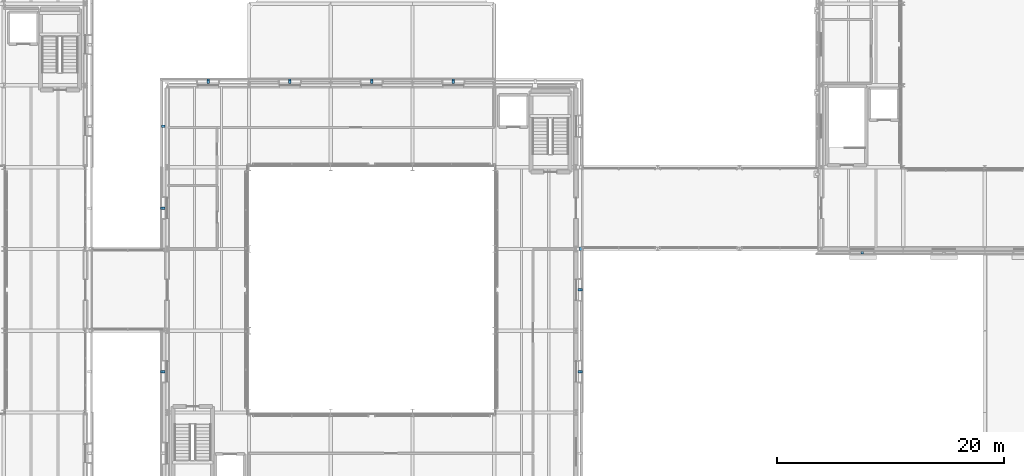
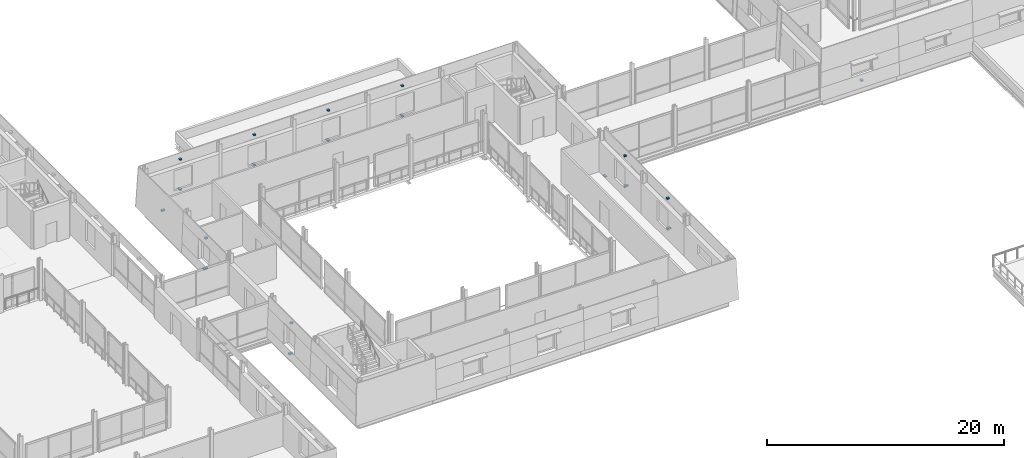
# One storey, part 85 of 115: 19 discrete accessories.
"""IFC4 building model written with IfcOpenShell, lengths in metres."""

from ifc_helpers import new_model, si_unit, direction, frame, origin, origin_2d, place, context, subcontext, project, spatial, rectangle, extrude, material, layer, layer_set, type_object, element, save


model = new_model("IFC4")

# Units and contexts
model_context = context("Model", 3, precision=1e-05, world=origin(), true_north=direction((0.0, 1.0)))
body_context = subcontext(model_context, "Body", "Model", "MODEL_VIEW")
ifc_project = project(units=[si_unit("LENGTHUNIT", "METRE"), si_unit("AREAUNIT", "SQUARE_METRE"), si_unit("VOLUMEUNIT", "CUBIC_METRE"), si_unit("PLANEANGLEUNIT", "RADIAN"), si_unit("MASSUNIT", "GRAM", prefix="KILO")], contexts=[model_context])

# Site, building, storey
site_placement = place(None, origin())
site = spatial("IfcSite", under=ifc_project, at=site_placement, CompositionType="ELEMENT")
building_placement = place(site_placement, origin())
building = spatial("IfcBuilding", under=site, at=building_placement, Name="Narikvali Park Central Library", CompositionType="ELEMENT")
storey_placement = place(building_placement, frame((0.0, 0.0, 10.199951171875)))
storey = spatial("IfcBuildingStorey", under=building, at=storey_placement, Name="L02", CompositionType="ELEMENT", Elevation=10.199951171875)

# Discrete accessories
ifc_material = material(Name="Brushed Stainless Steel S355", Category="steel")
ifc_layer_1 = layer(ifc_material, 0.139892578125, Name="Brushed Stainless Steel S355")
ifc_layer_set_1 = layer_set([ifc_layer_1], Name="Brushed Stainless Steel S355")
discrete_accessory_type_1 = type_object("IfcDiscreteAccessoryType", Name="Cladding Stainless Tie-Back Corbel Bracket", PredefinedType="BRACKET", material=ifc_layer_set_1)
discrete_accessory_1_placement = place(storey_placement, frame((101.1865234375, 68.39990234375, 0.4052734375), z_axis=(0.0, 0.0, 1.0), x_axis=(1.0, 0.0, 0.0)))
element("IfcDiscreteAccessory", 1, at=discrete_accessory_1_placement, inside=storey, type_object=discrete_accessory_type_1, Name="Limestone Cladding Tie-Back Bracket V1-CLD-L02-E-B02-SP", PredefinedType="BRACKET", context=body_context, shape_type="SweptSolid", body=[
    extrude(rectangle(XDim=0.393310546875, YDim=0.219970703125, at=origin_2d()), origin(), (0.0, 0.0, 1.0), 0.139892578125),
])
discrete_accessory_2_placement = place(storey_placement, frame((101.12255859375, 68.39990234375, 3.5302734375), z_axis=(0.0, 0.0, 1.0), x_axis=(1.0, 0.0, 0.0)))
element("IfcDiscreteAccessory", 2, at=discrete_accessory_2_placement, inside=storey, type_object=discrete_accessory_type_1, Name="Limestone Cladding Tie-Back Bracket V1-CLD-L02-E-B02-LN", PredefinedType="BRACKET", context=body_context, shape_type="SweptSolid", body=[
    extrude(rectangle(XDim=0.26513671875, YDim=0.219970703125, at=origin_2d()), origin(), (0.0, 0.0, 1.0), 0.139892578125),
])
discrete_accessory_3_placement = place(storey_placement, frame((101.1865234375, 75.60009765625, 0.4052734375), z_axis=(0.0, 0.0, 1.0), x_axis=(1.0, 0.0, 0.0)))
element("IfcDiscreteAccessory", 3, at=discrete_accessory_3_placement, inside=storey, type_object=discrete_accessory_type_1, Name="Limestone Cladding Tie-Back Bracket V1-CLD-L02-E-B03-SP", PredefinedType="BRACKET", context=body_context, shape_type="SweptSolid", body=[
    extrude(rectangle(XDim=0.393310546875, YDim=0.219970703125, at=origin_2d()), origin(), (0.0, 0.0, 1.0), 0.139892578125),
])
discrete_accessory_4_placement = place(storey_placement, frame((101.12255859375, 75.60009765625, 3.5302734375), z_axis=(0.0, 0.0, 1.0), x_axis=(1.0, 0.0, 0.0)))
element("IfcDiscreteAccessory", 4, at=discrete_accessory_4_placement, inside=storey, type_object=discrete_accessory_type_1, Name="Limestone Cladding Tie-Back Bracket V1-CLD-L02-E-B03-LN", PredefinedType="BRACKET", context=body_context, shape_type="SweptSolid", body=[
    extrude(rectangle(XDim=0.26513671875, YDim=0.219970703125, at=origin_2d()), origin(), (0.0, 0.0, 1.0), 0.139892578125),
])
discrete_accessory_5_placement = place(storey_placement, frame((90.0, 93.986572265625, 0.4052734375), z_axis=(0.0, 0.0, 1.0), x_axis=(1.0, 0.0, 0.0)))
element("IfcDiscreteAccessory", 5, at=discrete_accessory_5_placement, inside=storey, type_object=discrete_accessory_type_1, Name="Limestone Cladding Tie-Back Bracket V1-CLD-L02-N-B02-SP", PredefinedType="BRACKET", context=body_context, shape_type="SweptSolid", body=[
    extrude(rectangle(XDim=0.219970703125, YDim=0.393310546875, at=origin_2d()), origin(), (0.0, 0.0, 1.0), 0.139892578125),
])
discrete_accessory_6_placement = place(storey_placement, frame((90.0, 93.922607421875, 3.5302734375), z_axis=(0.0, 0.0, 1.0), x_axis=(1.0, 0.0, 0.0)))
element("IfcDiscreteAccessory", 6, at=discrete_accessory_6_placement, inside=storey, type_object=discrete_accessory_type_1, Name="Limestone Cladding Tie-Back Bracket V1-CLD-L02-N-B02-LN", PredefinedType="BRACKET", context=body_context, shape_type="SweptSolid", body=[
    extrude(rectangle(XDim=0.219970703125, YDim=0.26513671875, at=origin_2d()), origin(), (0.0, 0.0, 1.0), 0.139892578125),
])
discrete_accessory_7_placement = place(storey_placement, frame((82.800048828125, 93.986572265625, 0.4052734375), z_axis=(0.0, 0.0, 1.0), x_axis=(1.0, 0.0, 0.0)))
element("IfcDiscreteAccessory", 7, at=discrete_accessory_7_placement, inside=storey, type_object=discrete_accessory_type_1, Name="Limestone Cladding Tie-Back Bracket V1-CLD-L02-N-B03-SP", PredefinedType="BRACKET", context=body_context, shape_type="SweptSolid", body=[
    extrude(rectangle(XDim=0.219970703125, YDim=0.393310546875, at=origin_2d()), origin(), (0.0, 0.0, 1.0), 0.139892578125),
])
discrete_accessory_8_placement = place(storey_placement, frame((82.800048828125, 93.922607421875, 3.5302734375), z_axis=(0.0, 0.0, 1.0), x_axis=(1.0, 0.0, 0.0)))
element("IfcDiscreteAccessory", 8, at=discrete_accessory_8_placement, inside=storey, type_object=discrete_accessory_type_1, Name="Limestone Cladding Tie-Back Bracket V1-CLD-L02-N-B03-LN", PredefinedType="BRACKET", context=body_context, shape_type="SweptSolid", body=[
    extrude(rectangle(XDim=0.219970703125, YDim=0.26513671875, at=origin_2d()), origin(), (0.0, 0.0, 1.0), 0.139892578125),
])
discrete_accessory_9_placement = place(storey_placement, frame((75.60009765625, 93.986572265625, 0.4052734375), z_axis=(0.0, 0.0, 1.0), x_axis=(1.0, 0.0, 0.0)))
element("IfcDiscreteAccessory", 9, at=discrete_accessory_9_placement, inside=storey, type_object=discrete_accessory_type_1, Name="Limestone Cladding Tie-Back Bracket V1-CLD-L02-N-B04-SP", PredefinedType="BRACKET", context=body_context, shape_type="SweptSolid", body=[
    extrude(rectangle(XDim=0.219970703125, YDim=0.393310546875, at=origin_2d()), origin(), (0.0, 0.0, 1.0), 0.139892578125),
])
discrete_accessory_10_placement = place(storey_placement, frame((75.60009765625, 93.922607421875, 3.5302734375), z_axis=(0.0, 0.0, 1.0), x_axis=(1.0, 0.0, 0.0)))
element("IfcDiscreteAccessory", 10, at=discrete_accessory_10_placement, inside=storey, type_object=discrete_accessory_type_1, Name="Limestone Cladding Tie-Back Bracket V1-CLD-L02-N-B04-LN", PredefinedType="BRACKET", context=body_context, shape_type="SweptSolid", body=[
    extrude(rectangle(XDim=0.219970703125, YDim=0.26513671875, at=origin_2d()), origin(), (0.0, 0.0, 1.0), 0.139892578125),
])
discrete_accessory_11_placement = place(storey_placement, frame((68.39990234375, 93.986572265625, 0.4052734375), z_axis=(0.0, 0.0, 1.0), x_axis=(1.0, 0.0, 0.0)))
element("IfcDiscreteAccessory", 11, at=discrete_accessory_11_placement, inside=storey, type_object=discrete_accessory_type_1, Name="Limestone Cladding Tie-Back Bracket V1-CLD-L02-N-B05-SP", PredefinedType="BRACKET", context=body_context, shape_type="SweptSolid", body=[
    extrude(rectangle(XDim=0.219970703125, YDim=0.393310546875, at=origin_2d()), origin(), (0.0, 0.0, 1.0), 0.139892578125),
])
discrete_accessory_12_placement = place(storey_placement, frame((68.39990234375, 93.922607421875, 3.5302734375), z_axis=(0.0, 0.0, 1.0), x_axis=(1.0, 0.0, 0.0)))
element("IfcDiscreteAccessory", 12, at=discrete_accessory_12_placement, inside=storey, type_object=discrete_accessory_type_1, Name="Limestone Cladding Tie-Back Bracket V1-CLD-L02-N-B05-LN", PredefinedType="BRACKET", context=body_context, shape_type="SweptSolid", body=[
    extrude(rectangle(XDim=0.219970703125, YDim=0.26513671875, at=origin_2d()), origin(), (0.0, 0.0, 1.0), 0.139892578125),
])
discrete_accessory_13_placement = place(storey_placement, frame((64.44677734375, 90.0, 2.0302734375), z_axis=(0.0, 0.0, 1.0), x_axis=(1.0, 0.0, 0.0)))
element("IfcDiscreteAccessory", 13, at=discrete_accessory_13_placement, inside=storey, type_object=discrete_accessory_type_1, Name="Limestone Cladding Tie-Back Bracket V1-CLD-L02-W-B01-FULL", PredefinedType="BRACKET", context=body_context, shape_type="SweptSolid", body=[
    extrude(rectangle(XDim=0.32666015625, YDim=0.219970703125, at=origin_2d()), origin(), (0.0, 0.0, 1.0), 0.139892578125),
])
discrete_accessory_14_placement = place(storey_placement, frame((64.413330078125, 82.800048828125, 0.4052734375), z_axis=(0.0, 0.0, 1.0), x_axis=(1.0, 0.0, 0.0)))
element("IfcDiscreteAccessory", 14, at=discrete_accessory_14_placement, inside=storey, type_object=discrete_accessory_type_1, Name="Limestone Cladding Tie-Back Bracket V1-CLD-L02-W-B02-SP", PredefinedType="BRACKET", context=body_context, shape_type="SweptSolid", body=[
    extrude(rectangle(XDim=0.393310546875, YDim=0.219970703125, at=origin_2d()), origin(), (0.0, 0.0, 1.0), 0.139892578125),
])
discrete_accessory_15_placement = place(storey_placement, frame((64.477294921875, 82.800048828125, 3.5302734375), z_axis=(0.0, 0.0, 1.0), x_axis=(1.0, 0.0, 0.0)))
element("IfcDiscreteAccessory", 15, at=discrete_accessory_15_placement, inside=storey, type_object=discrete_accessory_type_1, Name="Limestone Cladding Tie-Back Bracket V1-CLD-L02-W-B02-LN", PredefinedType="BRACKET", context=body_context, shape_type="SweptSolid", body=[
    extrude(rectangle(XDim=0.26513671875, YDim=0.219970703125, at=origin_2d()), origin(), (0.0, 0.0, 1.0), 0.139892578125),
])
discrete_accessory_16_placement = place(storey_placement, frame((64.413330078125, 68.39990234375, 0.4052734375), z_axis=(0.0, 0.0, 1.0), x_axis=(1.0, 0.0, 0.0)))
element("IfcDiscreteAccessory", 16, at=discrete_accessory_16_placement, inside=storey, type_object=discrete_accessory_type_1, Name="Limestone Cladding Tie-Back Bracket V1-CLD-L02-W-B04-SP", PredefinedType="BRACKET", context=body_context, shape_type="SweptSolid", body=[
    extrude(rectangle(XDim=0.393310546875, YDim=0.219970703125, at=origin_2d()), origin(), (0.0, 0.0, 1.0), 0.139892578125),
])
discrete_accessory_17_placement = place(storey_placement, frame((64.477294921875, 68.39990234375, 3.5302734375), z_axis=(0.0, 0.0, 1.0), x_axis=(1.0, 0.0, 0.0)))
element("IfcDiscreteAccessory", 17, at=discrete_accessory_17_placement, inside=storey, type_object=discrete_accessory_type_1, Name="Limestone Cladding Tie-Back Bracket V1-CLD-L02-W-B04-LN", PredefinedType="BRACKET", context=body_context, shape_type="SweptSolid", body=[
    extrude(rectangle(XDim=0.26513671875, YDim=0.219970703125, at=origin_2d()), origin(), (0.0, 0.0, 1.0), 0.139892578125),
])
discrete_accessory_18_placement = place(storey_placement, frame((126.0, 78.87841796875, 0.60498046875), z_axis=(0.0, 0.0, 1.0), x_axis=(1.0, 0.0, 0.0)))
element("IfcDiscreteAccessory", 18, at=discrete_accessory_18_placement, inside=storey, type_object=discrete_accessory_type_1, Name="Limestone Cladding Tie-Back Bracket V3-CLD-L02-S-B01-SP", PredefinedType="BRACKET", context=body_context, shape_type="SweptSolid", body=[
    extrude(rectangle(XDim=0.219970703125, YDim=0.26318359375, at=origin_2d()), origin(), (0.0, 0.0, 1.0), 0.139892578125),
])
ifc_layer_2 = layer(ifc_material, 0.080078125, Name="Brushed Stainless Steel S355")
ifc_layer_set_2 = layer_set([ifc_layer_2], Name="Brushed Stainless Steel S355")
discrete_accessory_type_2 = type_object("IfcDiscreteAccessoryType", Name="Unguided PTFE Sliding Bridge Bearing", PredefinedType="BRACKET", material=ifc_layer_set_2)
discrete_accessory_19_placement = place(storey_placement, frame((101.22998046875, 79.199951171875, -0.719970703125), z_axis=(0.0, 0.0, 1.0), x_axis=(1.0, 0.0, 0.0)))
element("IfcDiscreteAccessory", 19, at=discrete_accessory_19_placement, inside=storey, type_object=discrete_accessory_type_2, Name="BRG-3 L02 Unguided PTFE Sliding Bearing 1", PredefinedType="BRACKET", context=body_context, shape_type="SweptSolid", body=[
    extrude(rectangle(XDim=0.239990234375, YDim=0.360107421875, at=origin_2d()), origin(), (0.0, 0.0, 1.0), 0.080078125),
])

save(model, "model.ifc")
